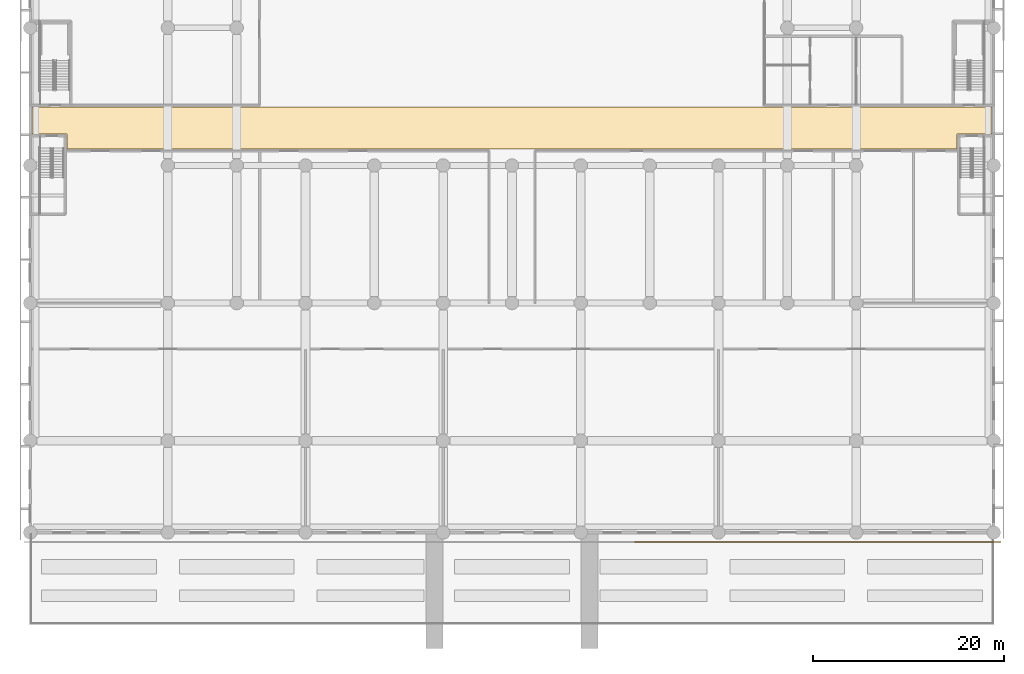
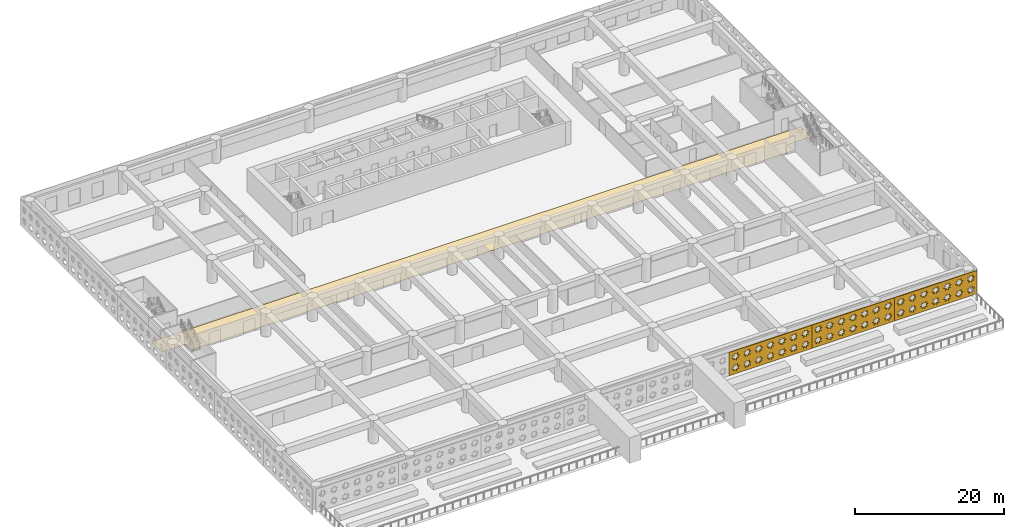
# One storey, part 16 of 24: 4 coverings.
"""IFC4 building model written with IfcOpenShell, lengths in metres."""

from ifc_helpers import new_model, si_unit, direction, frame, origin, place, context, subcontext, project, spatial, polyline, outline, extrude, material, layer, layer_set, type_object, element, save


model = new_model("IFC4")

# Units and contexts
model_context = context("Model", 3, precision=1e-05, world=origin(), true_north=direction((0.0, 1.0)))
body_context = subcontext(model_context, "Body", "Model", "MODEL_VIEW")
ifc_project = project(units=[si_unit("LENGTHUNIT", "METRE"), si_unit("AREAUNIT", "SQUARE_METRE"), si_unit("VOLUMEUNIT", "CUBIC_METRE"), si_unit("PLANEANGLEUNIT", "RADIAN"), si_unit("MASSUNIT", "GRAM", prefix="KILO")], contexts=[model_context])

# Site, building, storey
site_placement = place(None, origin())
site = spatial("IfcSite", under=ifc_project, at=site_placement, CompositionType="ELEMENT")
building_placement = place(site_placement, origin())
building = spatial("IfcBuilding", under=site, at=building_placement, Name="Saffron Iwan Residences", CompositionType="ELEMENT")
storey_placement = place(building_placement, frame((0.0, 0.0, 13.199951171875)))
storey = spatial("IfcBuildingStorey", under=building, at=storey_placement, Name="L02", CompositionType="ELEMENT", Elevation=13.199951171875)

# Coverings
ifc_material_1 = material(Name="Carpet flooring")
ifc_layer_1 = layer(ifc_material_1, 0.010009765625)
ifc_layer_set_1 = layer_set([ifc_layer_1], Name="Carpet flooring")
covering_type_1 = type_object("IfcCoveringType", Name="Carpet flooring 10", PredefinedType="FLOORING", material=ifc_layer_set_1)
covering_1_placement = place(storey_placement, origin())
element("IfcCovering", 1, at=covering_1_placement, inside=storey, type_object=covering_type_1, Name="Podium corridor flooring", PredefinedType="FLOORING", context=body_context, shape_type="SweptSolid", body=[
    extrude(outline(polyline([(100.60009765625, 51.300048828125), (96.949951171875, 51.300048828125), (96.949951171875, 49.699951171875), (3.85009765625, 49.699951171875), (3.85009765625, 51.300048828125), (0.199951171875, 51.300048828125), (0.199951171875, 54.10009765625), (100.60009765625, 54.10009765625), (100.60009765625, 51.300048828125)])), origin(), (0.0, 0.0, 1.0), 0.010009765625),
])
ifc_material_2 = material(Name="Terracotta screen, precast concrete C40/50", Category="masonry")
ifc_layer_2 = layer(ifc_material_2, 0.1201171875)
ifc_layer_set_2 = layer_set([ifc_layer_2], Name="Terracotta screen, precast concrete C40/50")
covering_type_2 = type_object("IfcCoveringType", Name="PODIUM SCREEN GIRIH", PredefinedType="CLADDING", material=ifc_layer_set_2)
covering_2_placement = place(storey_placement, frame((63.237548828125, 8.64990234375, 0.0), z_axis=(0.0, -1.0, 0.0), x_axis=(1.0, 0.0, 0.0)))
element("IfcCovering", 2, at=covering_2_placement, inside=storey, type_object=covering_type_2, Name="SCREEN girih terracotta L02 F0.5", PredefinedType="CLADDING", context=body_context, shape_type="SweptSolid", body=[
    extrude(outline(polyline([(0.0, 0.0), (12.777587890625, 0.0), (12.777587890625, 3.800048828125), (0.0, 3.800048828125), (0.0, 0.0)]), holes=[polyline([(1.5966796875, 1.12109375), (1.271484375, 1.18896484375), (1.333251953125, 1.515380859375), (1.05517578125, 1.33349609375), (0.867919921875, 1.608154296875), (0.7998046875, 1.28271484375), (0.47314453125, 1.344482421875), (0.6552734375, 1.06640625), (0.380615234375, 0.87890625), (0.7060546875, 0.81103515625), (0.644287109375, 0.484619140625), (0.92236328125, 0.66650390625), (1.109619140625, 0.391845703125), (1.177490234375, 0.71728515625), (1.50439453125, 0.655517578125), (1.322265625, 0.93359375), (1.5966796875, 1.12109375)]), polyline([(1.5966796875, 2.9208984375), (1.271484375, 2.989013671875), (1.333251953125, 3.3154296875), (1.05517578125, 3.133544921875), (0.867919921875, 3.408203125), (0.7998046875, 3.082763671875), (0.47314453125, 3.14453125), (0.6552734375, 2.8662109375), (0.380615234375, 2.678955078125), (0.7060546875, 2.611083984375), (0.644287109375, 2.284423828125), (0.92236328125, 2.466552734375), (1.109619140625, 2.19189453125), (1.177490234375, 2.517333984375), (1.50439453125, 2.45556640625), (1.322265625, 2.733642578125), (1.5966796875, 2.9208984375)]), polyline([(3.396728515625, 1.12109375), (3.0712890625, 1.18896484375), (3.13330078125, 1.515380859375), (2.85498046875, 1.33349609375), (2.667724609375, 1.608154296875), (2.599853515625, 1.28271484375), (2.273193359375, 1.344482421875), (2.455322265625, 1.06640625), (2.1806640625, 0.87890625), (2.506103515625, 0.81103515625), (2.4443359375, 0.484619140625), (2.722412109375, 0.66650390625), (2.90966796875, 0.391845703125), (2.9775390625, 0.71728515625), (3.30419921875, 0.655517578125), (3.122314453125, 0.93359375), (3.396728515625, 1.12109375)]), polyline([(3.396728515625, 2.9208984375), (3.0712890625, 2.989013671875), (3.13330078125, 3.3154296875), (2.85498046875, 3.133544921875), (2.667724609375, 3.408203125), (2.599853515625, 3.082763671875), (2.273193359375, 3.14453125), (2.455322265625, 2.8662109375), (2.1806640625, 2.678955078125), (2.506103515625, 2.611083984375), (2.4443359375, 2.284423828125), (2.722412109375, 2.466552734375), (2.90966796875, 2.19189453125), (2.9775390625, 2.517333984375), (3.30419921875, 2.45556640625), (3.122314453125, 2.733642578125), (3.396728515625, 2.9208984375)]), polyline([(5.19677734375, 1.12109375), (4.871337890625, 1.18896484375), (4.93310546875, 1.515380859375), (4.655029296875, 1.33349609375), (4.4677734375, 1.608154296875), (4.39990234375, 1.28271484375), (4.0732421875, 1.344482421875), (4.25537109375, 1.06640625), (3.980712890625, 0.87890625), (4.30615234375, 0.81103515625), (4.244384765625, 0.484619140625), (4.5224609375, 0.66650390625), (4.709716796875, 0.391845703125), (4.777587890625, 0.71728515625), (5.104248046875, 0.655517578125), (4.922119140625, 0.93359375), (5.19677734375, 1.12109375)]), polyline([(5.19677734375, 2.9208984375), (4.871337890625, 2.989013671875), (4.93310546875, 3.3154296875), (4.655029296875, 3.133544921875), (4.4677734375, 3.408203125), (4.39990234375, 3.082763671875), (4.0732421875, 3.14453125), (4.25537109375, 2.8662109375), (3.980712890625, 2.678955078125), (4.30615234375, 2.611083984375), (4.244384765625, 2.284423828125), (4.5224609375, 2.466552734375), (4.709716796875, 2.19189453125), (4.777587890625, 2.517333984375), (5.104248046875, 2.45556640625), (4.922119140625, 2.733642578125), (5.19677734375, 2.9208984375)]), polyline([(6.996826171875, 1.12109375), (6.67138671875, 1.18896484375), (6.733154296875, 1.515380859375), (6.455078125, 1.33349609375), (6.267822265625, 1.608154296875), (6.199951171875, 1.28271484375), (5.873291015625, 1.344482421875), (6.055419921875, 1.06640625), (5.78076171875, 0.87890625), (6.106201171875, 0.81103515625), (6.044189453125, 0.484619140625), (6.322509765625, 0.66650390625), (6.509765625, 0.391845703125), (6.57763671875, 0.71728515625), (6.904296875, 0.655517578125), (6.72216796875, 0.93359375), (6.996826171875, 1.12109375)]), polyline([(6.996826171875, 2.9208984375), (6.67138671875, 2.989013671875), (6.733154296875, 3.3154296875), (6.455078125, 3.133544921875), (6.267822265625, 3.408203125), (6.199951171875, 3.082763671875), (5.873291015625, 3.14453125), (6.055419921875, 2.8662109375), (5.78076171875, 2.678955078125), (6.106201171875, 2.611083984375), (6.044189453125, 2.284423828125), (6.322509765625, 2.466552734375), (6.509765625, 2.19189453125), (6.57763671875, 2.517333984375), (6.904296875, 2.45556640625), (6.72216796875, 2.733642578125), (6.996826171875, 2.9208984375)]), polyline([(8.796875, 1.12109375), (8.471435546875, 1.18896484375), (8.533203125, 1.515380859375), (8.255126953125, 1.33349609375), (8.06787109375, 1.608154296875), (8.0, 1.28271484375), (7.673095703125, 1.344482421875), (7.855224609375, 1.06640625), (7.580810546875, 0.87890625), (7.906005859375, 0.81103515625), (7.84423828125, 0.484619140625), (8.122314453125, 0.66650390625), (8.309814453125, 0.391845703125), (8.377685546875, 0.71728515625), (8.704345703125, 0.655517578125), (8.522216796875, 0.93359375), (8.796875, 1.12109375)]), polyline([(8.796875, 2.9208984375), (8.471435546875, 2.989013671875), (8.533203125, 3.3154296875), (8.255126953125, 3.133544921875), (8.06787109375, 3.408203125), (8.0, 3.082763671875), (7.673095703125, 3.14453125), (7.855224609375, 2.8662109375), (7.580810546875, 2.678955078125), (7.906005859375, 2.611083984375), (7.84423828125, 2.284423828125), (8.122314453125, 2.466552734375), (8.309814453125, 2.19189453125), (8.377685546875, 2.517333984375), (8.704345703125, 2.45556640625), (8.522216796875, 2.733642578125), (8.796875, 2.9208984375)]), polyline([(10.5966796875, 1.12109375), (10.271484375, 1.18896484375), (10.333251953125, 1.515380859375), (10.05517578125, 1.33349609375), (9.867919921875, 1.608154296875), (9.7998046875, 1.28271484375), (9.47314453125, 1.344482421875), (9.6552734375, 1.06640625), (9.380615234375, 0.87890625), (9.7060546875, 0.81103515625), (9.644287109375, 0.484619140625), (9.92236328125, 0.66650390625), (10.109619140625, 0.391845703125), (10.177490234375, 0.71728515625), (10.50439453125, 0.655517578125), (10.322265625, 0.93359375), (10.5966796875, 1.12109375)]), polyline([(10.5966796875, 2.9208984375), (10.271484375, 2.989013671875), (10.333251953125, 3.3154296875), (10.05517578125, 3.133544921875), (9.867919921875, 3.408203125), (9.7998046875, 3.082763671875), (9.47314453125, 3.14453125), (9.6552734375, 2.8662109375), (9.380615234375, 2.678955078125), (9.7060546875, 2.611083984375), (9.644287109375, 2.284423828125), (9.92236328125, 2.466552734375), (10.109619140625, 2.19189453125), (10.177490234375, 2.517333984375), (10.50439453125, 2.45556640625), (10.322265625, 2.733642578125), (10.5966796875, 2.9208984375)]), polyline([(12.396728515625, 1.12109375), (12.0712890625, 1.18896484375), (12.13330078125, 1.515380859375), (11.85498046875, 1.33349609375), (11.667724609375, 1.608154296875), (11.599853515625, 1.28271484375), (11.273193359375, 1.344482421875), (11.455322265625, 1.06640625), (11.1806640625, 0.87890625), (11.506103515625, 0.81103515625), (11.4443359375, 0.484619140625), (11.722412109375, 0.66650390625), (11.90966796875, 0.391845703125), (11.9775390625, 0.71728515625), (12.30419921875, 0.655517578125), (12.122314453125, 0.93359375), (12.396728515625, 1.12109375)]), polyline([(12.396728515625, 2.9208984375), (12.0712890625, 2.989013671875), (12.13330078125, 3.3154296875), (11.85498046875, 3.133544921875), (11.667724609375, 3.408203125), (11.599853515625, 3.082763671875), (11.273193359375, 3.14453125), (11.455322265625, 2.8662109375), (11.1806640625, 2.678955078125), (11.506103515625, 2.611083984375), (11.4443359375, 2.284423828125), (11.722412109375, 2.466552734375), (11.90966796875, 2.19189453125), (11.9775390625, 2.517333984375), (12.30419921875, 2.45556640625), (12.122314453125, 2.733642578125), (12.396728515625, 2.9208984375)])]), origin(), (0.0, 0.0, 1.0), 0.119873046875),
])
covering_3_placement = place(storey_placement, frame((76.014892578125, 8.64990234375, 0.0), z_axis=(0.0, -1.0, 0.0), x_axis=(1.0, 0.0, 0.0)))
element("IfcCovering", 3, at=covering_3_placement, inside=storey, type_object=covering_type_2, Name="SCREEN girih terracotta L02 F0.6", PredefinedType="CLADDING", context=body_context, shape_type="SweptSolid", body=[
    extrude(outline(polyline([(0.0, 0.0), (12.777587890625, 0.0), (12.777587890625, 3.800048828125), (0.0, 3.800048828125), (0.0, 0.0)]), holes=[polyline([(1.5966796875, 1.12109375), (1.271484375, 1.18896484375), (1.333251953125, 1.515380859375), (1.05517578125, 1.33349609375), (0.867919921875, 1.608154296875), (0.7998046875, 1.28271484375), (0.47314453125, 1.344482421875), (0.6552734375, 1.06640625), (0.380615234375, 0.87890625), (0.7060546875, 0.81103515625), (0.644287109375, 0.484619140625), (0.92236328125, 0.66650390625), (1.109619140625, 0.391845703125), (1.177490234375, 0.71728515625), (1.50439453125, 0.655517578125), (1.322265625, 0.93359375), (1.5966796875, 1.12109375)]), polyline([(1.5966796875, 2.9208984375), (1.271484375, 2.989013671875), (1.333251953125, 3.3154296875), (1.05517578125, 3.133544921875), (0.867919921875, 3.408203125), (0.7998046875, 3.082763671875), (0.47314453125, 3.14453125), (0.6552734375, 2.8662109375), (0.380615234375, 2.678955078125), (0.7060546875, 2.611083984375), (0.644287109375, 2.284423828125), (0.92236328125, 2.466552734375), (1.109619140625, 2.19189453125), (1.177490234375, 2.517333984375), (1.50439453125, 2.45556640625), (1.322265625, 2.733642578125), (1.5966796875, 2.9208984375)]), polyline([(3.396728515625, 1.12109375), (3.0712890625, 1.18896484375), (3.13330078125, 1.515380859375), (2.85498046875, 1.33349609375), (2.667724609375, 1.608154296875), (2.599853515625, 1.28271484375), (2.273193359375, 1.344482421875), (2.455322265625, 1.06640625), (2.1806640625, 0.87890625), (2.506103515625, 0.81103515625), (2.4443359375, 0.484619140625), (2.722412109375, 0.66650390625), (2.90966796875, 0.391845703125), (2.9775390625, 0.71728515625), (3.30419921875, 0.655517578125), (3.122314453125, 0.93359375), (3.396728515625, 1.12109375)]), polyline([(3.396728515625, 2.9208984375), (3.0712890625, 2.989013671875), (3.13330078125, 3.3154296875), (2.85498046875, 3.133544921875), (2.667724609375, 3.408203125), (2.599853515625, 3.082763671875), (2.273193359375, 3.14453125), (2.455322265625, 2.8662109375), (2.1806640625, 2.678955078125), (2.506103515625, 2.611083984375), (2.4443359375, 2.284423828125), (2.722412109375, 2.466552734375), (2.90966796875, 2.19189453125), (2.9775390625, 2.517333984375), (3.30419921875, 2.45556640625), (3.122314453125, 2.733642578125), (3.396728515625, 2.9208984375)]), polyline([(5.19677734375, 1.12109375), (4.871337890625, 1.18896484375), (4.93310546875, 1.515380859375), (4.655029296875, 1.33349609375), (4.4677734375, 1.608154296875), (4.39990234375, 1.28271484375), (4.0732421875, 1.344482421875), (4.25537109375, 1.06640625), (3.980712890625, 0.87890625), (4.30615234375, 0.81103515625), (4.244384765625, 0.484619140625), (4.5224609375, 0.66650390625), (4.709716796875, 0.391845703125), (4.777587890625, 0.71728515625), (5.104248046875, 0.655517578125), (4.922119140625, 0.93359375), (5.19677734375, 1.12109375)]), polyline([(5.19677734375, 2.9208984375), (4.871337890625, 2.989013671875), (4.93310546875, 3.3154296875), (4.655029296875, 3.133544921875), (4.4677734375, 3.408203125), (4.39990234375, 3.082763671875), (4.0732421875, 3.14453125), (4.25537109375, 2.8662109375), (3.980712890625, 2.678955078125), (4.30615234375, 2.611083984375), (4.244384765625, 2.284423828125), (4.5224609375, 2.466552734375), (4.709716796875, 2.19189453125), (4.777587890625, 2.517333984375), (5.104248046875, 2.45556640625), (4.922119140625, 2.733642578125), (5.19677734375, 2.9208984375)]), polyline([(6.996826171875, 1.12109375), (6.67138671875, 1.18896484375), (6.733154296875, 1.515380859375), (6.455078125, 1.33349609375), (6.267822265625, 1.608154296875), (6.199951171875, 1.28271484375), (5.873291015625, 1.344482421875), (6.055419921875, 1.06640625), (5.78076171875, 0.87890625), (6.106201171875, 0.81103515625), (6.044189453125, 0.484619140625), (6.322509765625, 0.66650390625), (6.509765625, 0.391845703125), (6.57763671875, 0.71728515625), (6.904296875, 0.655517578125), (6.72216796875, 0.93359375), (6.996826171875, 1.12109375)]), polyline([(6.996826171875, 2.9208984375), (6.67138671875, 2.989013671875), (6.733154296875, 3.3154296875), (6.455078125, 3.133544921875), (6.267822265625, 3.408203125), (6.199951171875, 3.082763671875), (5.873291015625, 3.14453125), (6.055419921875, 2.8662109375), (5.78076171875, 2.678955078125), (6.106201171875, 2.611083984375), (6.044189453125, 2.284423828125), (6.322509765625, 2.466552734375), (6.509765625, 2.19189453125), (6.57763671875, 2.517333984375), (6.904296875, 2.45556640625), (6.72216796875, 2.733642578125), (6.996826171875, 2.9208984375)]), polyline([(8.796875, 1.12109375), (8.471435546875, 1.18896484375), (8.533203125, 1.515380859375), (8.255126953125, 1.33349609375), (8.06787109375, 1.608154296875), (8.0, 1.28271484375), (7.673095703125, 1.344482421875), (7.855224609375, 1.06640625), (7.580810546875, 0.87890625), (7.906005859375, 0.81103515625), (7.84423828125, 0.484619140625), (8.122314453125, 0.66650390625), (8.309814453125, 0.391845703125), (8.377685546875, 0.71728515625), (8.704345703125, 0.655517578125), (8.522216796875, 0.93359375), (8.796875, 1.12109375)]), polyline([(8.796875, 2.9208984375), (8.471435546875, 2.989013671875), (8.533203125, 3.3154296875), (8.255126953125, 3.133544921875), (8.06787109375, 3.408203125), (8.0, 3.082763671875), (7.673095703125, 3.14453125), (7.855224609375, 2.8662109375), (7.580810546875, 2.678955078125), (7.906005859375, 2.611083984375), (7.84423828125, 2.284423828125), (8.122314453125, 2.466552734375), (8.309814453125, 2.19189453125), (8.377685546875, 2.517333984375), (8.704345703125, 2.45556640625), (8.522216796875, 2.733642578125), (8.796875, 2.9208984375)]), polyline([(10.5966796875, 1.12109375), (10.271484375, 1.18896484375), (10.333251953125, 1.515380859375), (10.05517578125, 1.33349609375), (9.867919921875, 1.608154296875), (9.7998046875, 1.28271484375), (9.47314453125, 1.344482421875), (9.6552734375, 1.06640625), (9.380615234375, 0.87890625), (9.7060546875, 0.81103515625), (9.644287109375, 0.484619140625), (9.92236328125, 0.66650390625), (10.109619140625, 0.391845703125), (10.177490234375, 0.71728515625), (10.50439453125, 0.655517578125), (10.322265625, 0.93359375), (10.5966796875, 1.12109375)]), polyline([(10.5966796875, 2.9208984375), (10.271484375, 2.989013671875), (10.333251953125, 3.3154296875), (10.05517578125, 3.133544921875), (9.867919921875, 3.408203125), (9.7998046875, 3.082763671875), (9.47314453125, 3.14453125), (9.6552734375, 2.8662109375), (9.380615234375, 2.678955078125), (9.7060546875, 2.611083984375), (9.644287109375, 2.284423828125), (9.92236328125, 2.466552734375), (10.109619140625, 2.19189453125), (10.177490234375, 2.517333984375), (10.50439453125, 2.45556640625), (10.322265625, 2.733642578125), (10.5966796875, 2.9208984375)]), polyline([(12.396728515625, 1.12109375), (12.0712890625, 1.18896484375), (12.13330078125, 1.515380859375), (11.85498046875, 1.33349609375), (11.667724609375, 1.608154296875), (11.599853515625, 1.28271484375), (11.273193359375, 1.344482421875), (11.455322265625, 1.06640625), (11.1806640625, 0.87890625), (11.506103515625, 0.81103515625), (11.4443359375, 0.484619140625), (11.722412109375, 0.66650390625), (11.90966796875, 0.391845703125), (11.9775390625, 0.71728515625), (12.30419921875, 0.655517578125), (12.122314453125, 0.93359375), (12.396728515625, 1.12109375)]), polyline([(12.396728515625, 2.9208984375), (12.0712890625, 2.989013671875), (12.13330078125, 3.3154296875), (11.85498046875, 3.133544921875), (11.667724609375, 3.408203125), (11.599853515625, 3.082763671875), (11.273193359375, 3.14453125), (11.455322265625, 2.8662109375), (11.1806640625, 2.678955078125), (11.506103515625, 2.611083984375), (11.4443359375, 2.284423828125), (11.722412109375, 2.466552734375), (11.90966796875, 2.19189453125), (11.9775390625, 2.517333984375), (12.30419921875, 2.45556640625), (12.122314453125, 2.733642578125), (12.396728515625, 2.9208984375)])]), origin(), (0.0, 0.0, 1.0), 0.119873046875),
])
covering_4_placement = place(storey_placement, frame((88.79248046875, 8.64990234375, 0.0), z_axis=(0.0, -1.0, 0.0), x_axis=(1.0, 0.0, 0.0)))
element("IfcCovering", 4, at=covering_4_placement, inside=storey, type_object=covering_type_2, Name="SCREEN girih terracotta L02 F0.7", PredefinedType="CLADDING", context=body_context, shape_type="SweptSolid", body=[
    extrude(outline(polyline([(0.0, 0.0), (12.777587890625, 0.0), (12.777587890625, 3.800048828125), (0.0, 3.800048828125), (0.0, 0.0)]), holes=[polyline([(1.5966796875, 1.12109375), (1.271484375, 1.18896484375), (1.333251953125, 1.515380859375), (1.05517578125, 1.33349609375), (0.867919921875, 1.608154296875), (0.7998046875, 1.28271484375), (0.47314453125, 1.344482421875), (0.6552734375, 1.06640625), (0.380615234375, 0.87890625), (0.7060546875, 0.81103515625), (0.644287109375, 0.484619140625), (0.92236328125, 0.66650390625), (1.109619140625, 0.391845703125), (1.177490234375, 0.71728515625), (1.50439453125, 0.655517578125), (1.322265625, 0.93359375), (1.5966796875, 1.12109375)]), polyline([(1.5966796875, 2.9208984375), (1.271484375, 2.989013671875), (1.333251953125, 3.3154296875), (1.05517578125, 3.133544921875), (0.867919921875, 3.408203125), (0.7998046875, 3.082763671875), (0.47314453125, 3.14453125), (0.6552734375, 2.8662109375), (0.380615234375, 2.678955078125), (0.7060546875, 2.611083984375), (0.644287109375, 2.284423828125), (0.92236328125, 2.466552734375), (1.109619140625, 2.19189453125), (1.177490234375, 2.517333984375), (1.50439453125, 2.45556640625), (1.322265625, 2.733642578125), (1.5966796875, 2.9208984375)]), polyline([(3.396728515625, 1.12109375), (3.0712890625, 1.18896484375), (3.13330078125, 1.515380859375), (2.85498046875, 1.33349609375), (2.667724609375, 1.608154296875), (2.599853515625, 1.28271484375), (2.273193359375, 1.344482421875), (2.455322265625, 1.06640625), (2.1806640625, 0.87890625), (2.506103515625, 0.81103515625), (2.4443359375, 0.484619140625), (2.722412109375, 0.66650390625), (2.90966796875, 0.391845703125), (2.9775390625, 0.71728515625), (3.30419921875, 0.655517578125), (3.122314453125, 0.93359375), (3.396728515625, 1.12109375)]), polyline([(3.396728515625, 2.9208984375), (3.0712890625, 2.989013671875), (3.13330078125, 3.3154296875), (2.85498046875, 3.133544921875), (2.667724609375, 3.408203125), (2.599853515625, 3.082763671875), (2.273193359375, 3.14453125), (2.455322265625, 2.8662109375), (2.1806640625, 2.678955078125), (2.506103515625, 2.611083984375), (2.4443359375, 2.284423828125), (2.722412109375, 2.466552734375), (2.90966796875, 2.19189453125), (2.9775390625, 2.517333984375), (3.30419921875, 2.45556640625), (3.122314453125, 2.733642578125), (3.396728515625, 2.9208984375)]), polyline([(5.19677734375, 1.12109375), (4.871337890625, 1.18896484375), (4.93310546875, 1.515380859375), (4.655029296875, 1.33349609375), (4.4677734375, 1.608154296875), (4.39990234375, 1.28271484375), (4.0732421875, 1.344482421875), (4.25537109375, 1.06640625), (3.980712890625, 0.87890625), (4.30615234375, 0.81103515625), (4.244384765625, 0.484619140625), (4.5224609375, 0.66650390625), (4.709716796875, 0.391845703125), (4.777587890625, 0.71728515625), (5.104248046875, 0.655517578125), (4.922119140625, 0.93359375), (5.19677734375, 1.12109375)]), polyline([(5.19677734375, 2.9208984375), (4.871337890625, 2.989013671875), (4.93310546875, 3.3154296875), (4.655029296875, 3.133544921875), (4.4677734375, 3.408203125), (4.39990234375, 3.082763671875), (4.0732421875, 3.14453125), (4.25537109375, 2.8662109375), (3.980712890625, 2.678955078125), (4.30615234375, 2.611083984375), (4.244384765625, 2.284423828125), (4.5224609375, 2.466552734375), (4.709716796875, 2.19189453125), (4.777587890625, 2.517333984375), (5.104248046875, 2.45556640625), (4.922119140625, 2.733642578125), (5.19677734375, 2.9208984375)]), polyline([(6.996826171875, 1.12109375), (6.67138671875, 1.18896484375), (6.733154296875, 1.515380859375), (6.455078125, 1.33349609375), (6.267822265625, 1.608154296875), (6.199951171875, 1.28271484375), (5.873291015625, 1.344482421875), (6.055419921875, 1.06640625), (5.78076171875, 0.87890625), (6.106201171875, 0.81103515625), (6.044189453125, 0.484619140625), (6.322509765625, 0.66650390625), (6.509765625, 0.391845703125), (6.57763671875, 0.71728515625), (6.904296875, 0.655517578125), (6.72216796875, 0.93359375), (6.996826171875, 1.12109375)]), polyline([(6.996826171875, 2.9208984375), (6.67138671875, 2.989013671875), (6.733154296875, 3.3154296875), (6.455078125, 3.133544921875), (6.267822265625, 3.408203125), (6.199951171875, 3.082763671875), (5.873291015625, 3.14453125), (6.055419921875, 2.8662109375), (5.78076171875, 2.678955078125), (6.106201171875, 2.611083984375), (6.044189453125, 2.284423828125), (6.322509765625, 2.466552734375), (6.509765625, 2.19189453125), (6.57763671875, 2.517333984375), (6.904296875, 2.45556640625), (6.72216796875, 2.733642578125), (6.996826171875, 2.9208984375)]), polyline([(8.796875, 1.12109375), (8.471435546875, 1.18896484375), (8.533203125, 1.515380859375), (8.255126953125, 1.33349609375), (8.06787109375, 1.608154296875), (8.0, 1.28271484375), (7.673095703125, 1.344482421875), (7.855224609375, 1.06640625), (7.580810546875, 0.87890625), (7.906005859375, 0.81103515625), (7.84423828125, 0.484619140625), (8.122314453125, 0.66650390625), (8.309814453125, 0.391845703125), (8.377685546875, 0.71728515625), (8.704345703125, 0.655517578125), (8.522216796875, 0.93359375), (8.796875, 1.12109375)]), polyline([(8.796875, 2.9208984375), (8.471435546875, 2.989013671875), (8.533203125, 3.3154296875), (8.255126953125, 3.133544921875), (8.06787109375, 3.408203125), (8.0, 3.082763671875), (7.673095703125, 3.14453125), (7.855224609375, 2.8662109375), (7.580810546875, 2.678955078125), (7.906005859375, 2.611083984375), (7.84423828125, 2.284423828125), (8.122314453125, 2.466552734375), (8.309814453125, 2.19189453125), (8.377685546875, 2.517333984375), (8.704345703125, 2.45556640625), (8.522216796875, 2.733642578125), (8.796875, 2.9208984375)]), polyline([(10.5966796875, 1.12109375), (10.271484375, 1.18896484375), (10.333251953125, 1.515380859375), (10.05517578125, 1.33349609375), (9.867919921875, 1.608154296875), (9.7998046875, 1.28271484375), (9.47314453125, 1.344482421875), (9.6552734375, 1.06640625), (9.380615234375, 0.87890625), (9.7060546875, 0.81103515625), (9.644287109375, 0.484619140625), (9.92236328125, 0.66650390625), (10.109619140625, 0.391845703125), (10.177490234375, 0.71728515625), (10.50439453125, 0.655517578125), (10.322265625, 0.93359375), (10.5966796875, 1.12109375)]), polyline([(10.5966796875, 2.9208984375), (10.271484375, 2.989013671875), (10.333251953125, 3.3154296875), (10.05517578125, 3.133544921875), (9.867919921875, 3.408203125), (9.7998046875, 3.082763671875), (9.47314453125, 3.14453125), (9.6552734375, 2.8662109375), (9.380615234375, 2.678955078125), (9.7060546875, 2.611083984375), (9.644287109375, 2.284423828125), (9.92236328125, 2.466552734375), (10.109619140625, 2.19189453125), (10.177490234375, 2.517333984375), (10.50439453125, 2.45556640625), (10.322265625, 2.733642578125), (10.5966796875, 2.9208984375)]), polyline([(12.396728515625, 1.12109375), (12.0712890625, 1.18896484375), (12.13330078125, 1.515380859375), (11.85498046875, 1.33349609375), (11.667724609375, 1.608154296875), (11.599853515625, 1.28271484375), (11.273193359375, 1.344482421875), (11.455322265625, 1.06640625), (11.1806640625, 0.87890625), (11.506103515625, 0.81103515625), (11.4443359375, 0.484619140625), (11.722412109375, 0.66650390625), (11.90966796875, 0.391845703125), (11.9775390625, 0.71728515625), (12.30419921875, 0.655517578125), (12.122314453125, 0.93359375), (12.396728515625, 1.12109375)]), polyline([(12.396728515625, 2.9208984375), (12.0712890625, 2.989013671875), (12.13330078125, 3.3154296875), (11.85498046875, 3.133544921875), (11.667724609375, 3.408203125), (11.599853515625, 3.082763671875), (11.273193359375, 3.14453125), (11.455322265625, 2.8662109375), (11.1806640625, 2.678955078125), (11.506103515625, 2.611083984375), (11.4443359375, 2.284423828125), (11.722412109375, 2.466552734375), (11.90966796875, 2.19189453125), (11.9775390625, 2.517333984375), (12.30419921875, 2.45556640625), (12.122314453125, 2.733642578125), (12.396728515625, 2.9208984375)])]), origin(), (0.0, 0.0, 1.0), 0.119873046875),
])

save(model, "model.ifc")
